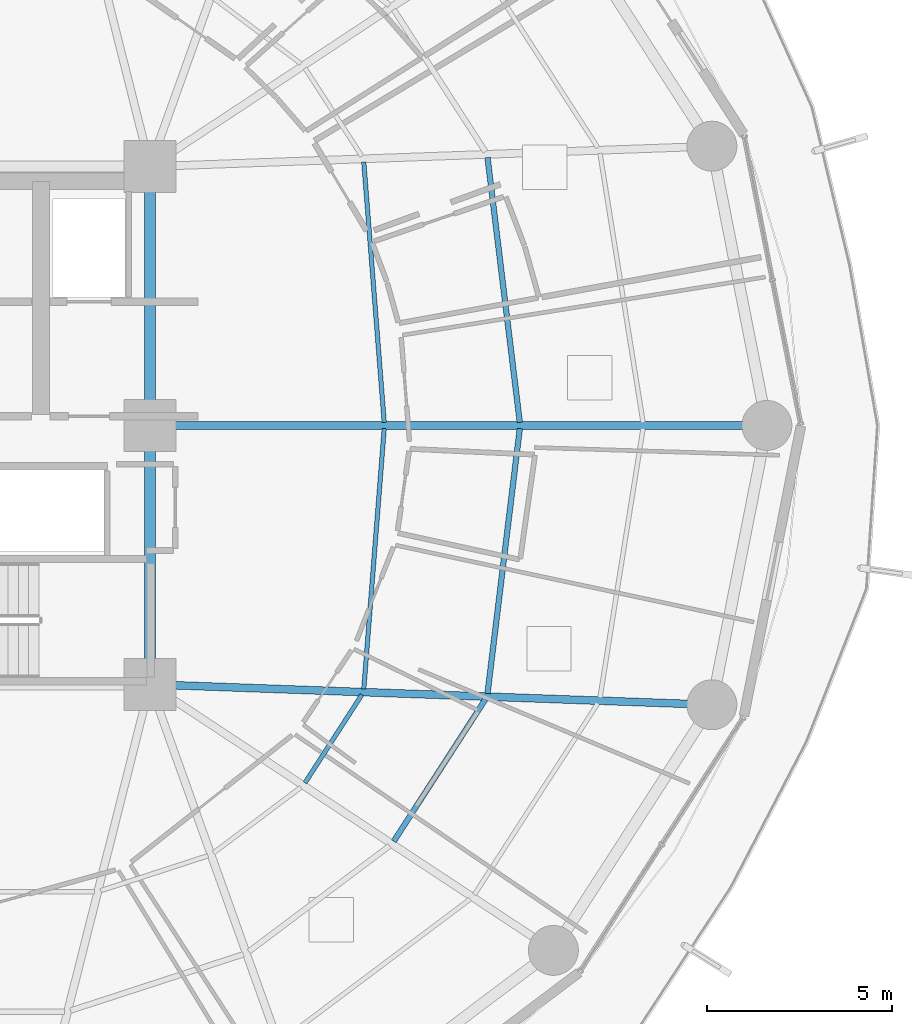
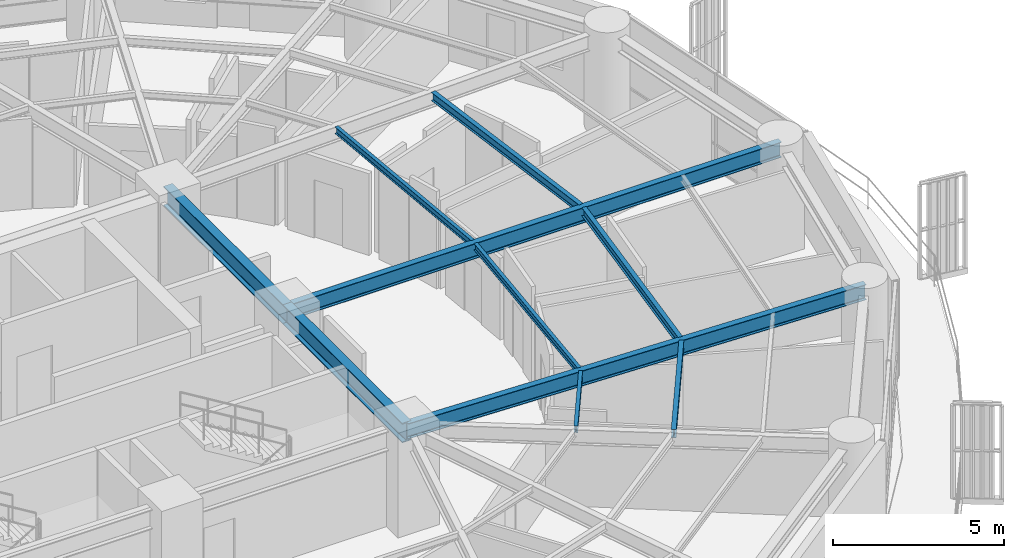
# One storey, part 12 of 34: 10 beams.
"""IFC4 building model written with IfcOpenShell, lengths in metres."""

from ifc_helpers import new_model, si_unit, direction, frame, origin, origin_2d, place, context, subcontext, project, spatial, i_section, extrude, material, material_profile, profile_set, type_object, element, save


model = new_model("IFC4")

# Units and contexts
model_context = context("Model", 3, precision=1e-05, world=origin(), true_north=direction((0.0, 1.0)))
body_context = subcontext(model_context, "Body", "Model", "MODEL_VIEW")
ifc_project = project(units=[si_unit("LENGTHUNIT", "METRE"), si_unit("AREAUNIT", "SQUARE_METRE"), si_unit("VOLUMEUNIT", "CUBIC_METRE"), si_unit("PLANEANGLEUNIT", "RADIAN"), si_unit("MASSUNIT", "GRAM", prefix="KILO")], contexts=[model_context])

# Site, building, storey
site_placement = place(None, origin())
site = spatial("IfcSite", under=ifc_project, at=site_placement, CompositionType="ELEMENT")
building_placement = place(site_placement, origin())
building = spatial("IfcBuilding", under=site, at=building_placement, Name="Kelanora Arch Commons", CompositionType="ELEMENT")
storey_placement = place(building_placement, frame((0.0, 0.0, 76.35009765625)))
storey = spatial("IfcBuildingStorey", under=building, at=storey_placement, Name="L19", CompositionType="ELEMENT", Elevation=76.35009765625)

# Beams
ifc_material = material(Name="Steel S355", Category="steel")
ifc_material_profile_1 = material_profile(ifc_material, i_section(OverallWidth=0.300048828125, OverallDepth=0.699951171875, WebThickness=0.01708984375, FlangeThickness=0.031982421875, FilletRadius=0.027099609375, at=origin_2d()), Name="HEB700")
ifc_profile_set_1 = profile_set([ifc_material_profile_1], Name="Steel S355")
beam_type_1 = type_object("IfcBeamType", Name="BM-CORE-HDR", PredefinedType="BEAM", material=ifc_profile_set_1)
for number, where, z_axis, x_axis, name in (
    (1, (82.0, 51.0, 3.139892578125), (0.0, 1.0, 0.0), (-1.0, 0.0, 0.0), "Core Header Beam 03 L19"),
    (2, (82.0, 58.0, 3.139892578125), (0.0, 1.0, 0.0), (-1.0, 0.0, 0.0), "Core Header Beam 04 L19"),
):
    element("IfcBeam", number, at=place(storey_placement, frame(where, z_axis=z_axis, x_axis=x_axis)), inside=storey, type_object=beam_type_1, Name=name, PredefinedType="BEAM", context=body_context, shape_type="SweptSolid", body=[
        extrude(i_section(OverallWidth=0.300048828125, OverallDepth=0.699951171875, WebThickness=0.01708984375, FlangeThickness=0.031982421875, FilletRadius=0.027099609375, at=origin_2d()), origin(), (0.0, 0.0, 1.0), 7.0),
    ])
ifc_material_profile_2 = material_profile(ifc_material, i_section(OverallWidth=0.14990234375, OverallDepth=0.300048828125, WebThickness=0.007080078125, FlangeThickness=0.0107421875, FilletRadius=0.014892578125, at=origin_2d()), Name="IPE300")
ifc_profile_set_2 = profile_set([ifc_material_profile_2], Name="Steel S355")
beam_type_2 = type_object("IfcBeamType", Name="BM-JST-01", PredefinedType="JOIST", material=ifc_profile_set_2)
beam_1_placement = place(storey_placement, frame((91.997802734375, 58.08447265625, 3.33984375), z_axis=(-0.120935645266, 0.992660349618, 0.0), x_axis=(-0.992660349618, -0.120935645266, 0.0)))
element("IfcBeam", 3, at=beam_1_placement, inside=storey, type_object=beam_type_2, Name="Secondary Chord Joist BJB-00 L19", PredefinedType="JOIST", context=body_context, shape_type="SweptSolid", body=[
    extrude(i_section(OverallWidth=0.14990234375, OverallDepth=0.300048828125, WebThickness=0.007080078125, FlangeThickness=0.0107421875, FilletRadius=0.014892578125, at=origin_2d()), origin(), (0.0, 0.0, 1.0), 7.215087890625),
])
beam_2_placement = place(storey_placement, frame((88.589599609375, 46.755615234375, 3.33984375), z_axis=(0.542230243286, 0.840229946661, 0.0), x_axis=(-0.840229946661, 0.542230243286, 0.0)))
element("IfcBeam", 4, at=beam_2_placement, inside=storey, type_object=beam_type_2, Name="Secondary Chord Joist BJB-32 L19", PredefinedType="JOIST", context=body_context, shape_type="SweptSolid", body=[
    extrude(i_section(OverallWidth=0.14990234375, OverallDepth=0.300048828125, WebThickness=0.007080078125, FlangeThickness=0.0107421875, FilletRadius=0.014892578125, at=origin_2d()), origin(), (0.0, 0.0, 1.0), 4.572265625),
])
beam_3_placement = place(storey_placement, frame((91.125244140625, 50.75341796875, 3.33984375), z_axis=(0.120935645266, 0.992660349618, 0.0), x_axis=(-0.992660349618, 0.120935645266, 0.0)))
element("IfcBeam", 5, at=beam_3_placement, inside=storey, type_object=beam_type_2, Name="Secondary Chord Joist BJB-34 L19", PredefinedType="JOIST", context=body_context, shape_type="SweptSolid", body=[
    extrude(i_section(OverallWidth=0.14990234375, OverallDepth=0.300048828125, WebThickness=0.007080078125, FlangeThickness=0.0107421875, FilletRadius=0.014892578125, at=origin_2d()), origin(), (0.0, 0.0, 1.0), 7.215087890625),
])
ifc_material_profile_3 = material_profile(ifc_material, i_section(OverallWidth=0.1201171875, OverallDepth=0.239990234375, WebThickness=0.006103515625, FlangeThickness=0.009765625, FilletRadius=0.014892578125, at=origin_2d()), Name="IPE240")
ifc_profile_set_3 = profile_set([ifc_material_profile_3], Name="Steel S355")
beam_type_3 = type_object("IfcBeamType", Name="BM-JST-02", PredefinedType="JOIST", material=ifc_profile_set_3)
beam_4_placement = place(storey_placement, frame((88.331787109375, 58.084716796875, 3.369873046875), z_axis=(-0.078200677502, 0.996937637989, 0.0), x_axis=(-0.996937637989, -0.078200677502, 0.0)))
element("IfcBeam", 6, at=beam_4_placement, inside=storey, type_object=beam_type_3, Name="Secondary Chord Joist BJA-00 L19", PredefinedType="JOIST", context=body_context, shape_type="SweptSolid", body=[
    extrude(i_section(OverallWidth=0.1201171875, OverallDepth=0.239990234375, WebThickness=0.006103515625, FlangeThickness=0.009765625, FilletRadius=0.014892578125, at=origin_2d()), origin(), (0.0, 0.0, 1.0), 7.06201171875),
])
beam_5_placement = place(storey_placement, frame((86.1904296875, 48.338134765625, 3.369873046875), z_axis=(0.542211255502, 0.840242199849, 0.0), x_axis=(-0.840242199849, 0.542211255502, 0.0)))
element("IfcBeam", 7, at=beam_5_placement, inside=storey, type_object=beam_type_3, Name="Secondary Chord Joist BJA-32 L19", PredefinedType="JOIST", context=body_context, shape_type="SweptSolid", body=[
    extrude(i_section(OverallWidth=0.1201171875, OverallDepth=0.239990234375, WebThickness=0.006103515625, FlangeThickness=0.009765625, FilletRadius=0.014892578125, at=origin_2d()), origin(), (0.0, 0.0, 1.0), 2.83349609375),
])
beam_6_placement = place(storey_placement, frame((87.779541015625, 50.875, 3.369873046875), z_axis=(0.078200677502, 0.996937637989, 0.0), x_axis=(-0.996937637989, 0.078200677502, 0.0)))
element("IfcBeam", 8, at=beam_6_placement, inside=storey, type_object=beam_type_3, Name="Secondary Chord Joist BJA-34 L19", PredefinedType="JOIST", context=body_context, shape_type="SweptSolid", body=[
    extrude(i_section(OverallWidth=0.1201171875, OverallDepth=0.239990234375, WebThickness=0.006103515625, FlangeThickness=0.009765625, FilletRadius=0.014892578125, at=origin_2d()), origin(), (0.0, 0.0, 1.0), 7.06201171875),
])
ifc_material_profile_4 = material_profile(ifc_material, i_section(OverallWidth=0.2099609375, OverallDepth=0.550048828125, WebThickness=0.010986328125, FlangeThickness=0.01708984375, FilletRadius=0.02392578125, at=origin_2d()), Name="IPE550")
ifc_profile_set_4 = profile_set([ifc_material_profile_4], Name="Steel S355")
beam_type_4 = type_object("IfcBeamType", Name="BM-RAD-Z2", PredefinedType="BEAM", material=ifc_profile_set_4)
beam_7_placement = place(storey_placement, frame((82.0, 58.0, 3.21484375), z_axis=(1.0, 0.0, 0.0), x_axis=(0.0, 1.0, 0.0)))
element("IfcBeam", 9, at=beam_7_placement, inside=storey, type_object=beam_type_4, Name="Radial Floor Girder BR-00 L19", PredefinedType="BEAM", context=body_context, shape_type="SweptSolid", body=[
    extrude(i_section(OverallWidth=0.2099609375, OverallDepth=0.550048828125, WebThickness=0.010986328125, FlangeThickness=0.01708984375, FilletRadius=0.02392578125, at=origin_2d()), origin(), (0.0, 0.0, 1.0), 16.679931640625),
])
beam_8_placement = place(storey_placement, frame((82.0, 51.0, 3.21484375), z_axis=(0.999341087625, -0.036295875581, 0.0), x_axis=(0.036295875581, 0.999341087625, 0.0)))
element("IfcBeam", 10, at=beam_8_placement, inside=storey, type_object=beam_type_4, Name="Radial Floor Girder BR-34 L19", PredefinedType="BEAM", context=body_context, shape_type="SweptSolid", body=[
    extrude(i_section(OverallWidth=0.2099609375, OverallDepth=0.550048828125, WebThickness=0.010986328125, FlangeThickness=0.01708984375, FilletRadius=0.02392578125, at=origin_2d()), origin(), (0.0, 0.0, 1.0), 15.20166015625),
])

save(model, "model.ifc")
